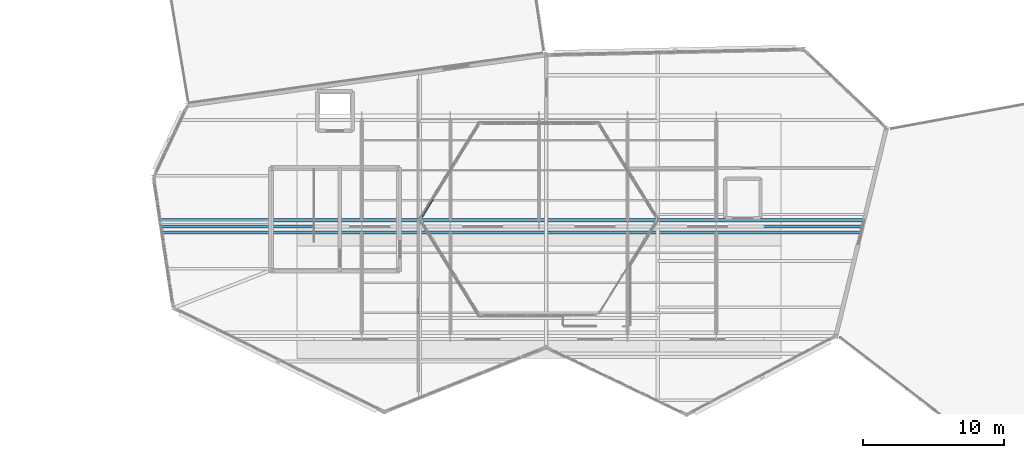
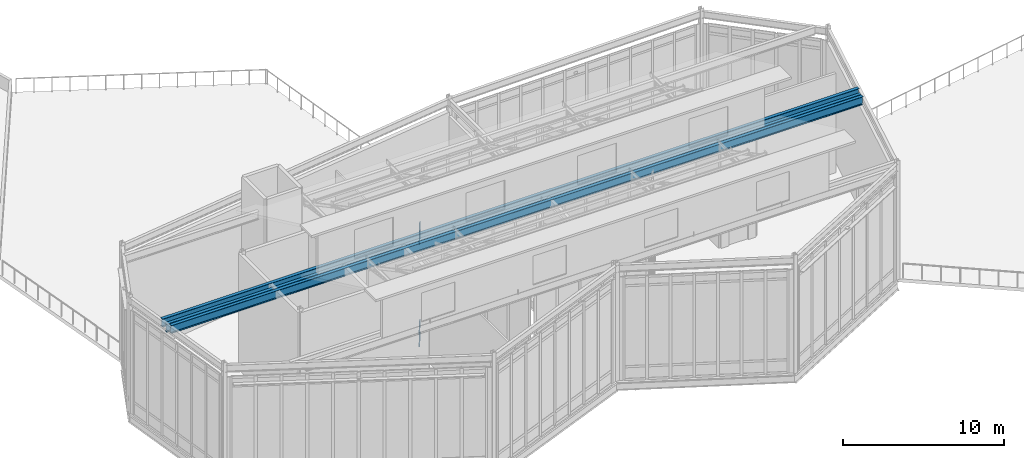
# One storey, part 22 of 66: 4 members, 3 beams, 1 element without a shape of its own.
"""IFC4 building model written with IfcOpenShell, lengths in metres."""

from ifc_helpers import new_model, si_unit, direction, frame, origin, origin_2d, place, context, subcontext, project, spatial, rectangle, i_section, extrude, material, material_profile, profile_set, type_object, element, aggregate, save


model = new_model("IFC4")

# Units and contexts
model_context = context("Model", 3, precision=1e-05, world=origin(), true_north=direction((0.0, 1.0)))
body_context = subcontext(model_context, "Body", "Model", "MODEL_VIEW")
ifc_project = project(units=[si_unit("LENGTHUNIT", "METRE"), si_unit("AREAUNIT", "SQUARE_METRE"), si_unit("VOLUMEUNIT", "CUBIC_METRE"), si_unit("PLANEANGLEUNIT", "RADIAN"), si_unit("MASSUNIT", "GRAM", prefix="KILO")], contexts=[model_context])

# Site, building, storey
site_placement = place(None, origin())
site = spatial("IfcSite", under=ifc_project, at=site_placement, CompositionType="ELEMENT")
building_placement = place(site_placement, origin())
building = spatial("IfcBuilding", under=site, at=building_placement, Name="Tameran Prism Museum", CompositionType="ELEMENT")
storey_placement = place(building_placement, frame((0.0, 0.0, 19.800048828125)))
storey = spatial("IfcBuildingStorey", under=building, at=storey_placement, Name="L04", CompositionType="ELEMENT", Elevation=19.800048828125)

# Beams
ifc_material_1 = material(Name="Steel Grade 300PLUS (300 MPa)", Category="steel")
ifc_material_profile_1 = material_profile(ifc_material_1, i_section(OverallWidth=0.22900390625, OverallDepth=0.612060546875, WebThickness=0.011962890625, FlangeThickness=0.01953125, FilletRadius=0.013916015625, at=origin_2d()))
ifc_profile_set_1 = profile_set([ifc_material_profile_1])
beam_type = type_object("IfcBeamType", Name="BM-UB610A", PredefinedType="BEAM", material=ifc_profile_set_1)
beam_1_placement = place(storey_placement, frame((50.23388671875, 35.56005859375, 8.48388671875), z_axis=(1.0, 0.0, 0.0), x_axis=(0.0, 1.0, 0.0)))
element("IfcBeam", 1, at=beam_1_placement, inside=storey, type_object=beam_type, Name="Sawtooth Support Girder SRG-035", PredefinedType="BEAM", context=body_context, shape_type="SweptSolid", body=[
    extrude(i_section(OverallWidth=0.22900390625, OverallDepth=0.612060546875, WebThickness=0.011962890625, FlangeThickness=0.01953125, FilletRadius=0.013916015625, at=origin_2d()), origin(), (0.0, 0.0, 1.0), 49.615234375),
])
beam_2_placement = place(storey_placement, frame((50.10107421875, 36.43994140625, 8.48388671875), z_axis=(1.0, 0.0, 0.0), x_axis=(0.0, 1.0, 0.0)))
element("IfcBeam", 2, at=beam_2_placement, inside=storey, type_object=beam_type, Name="Sawtooth Support Girder SRG-040", PredefinedType="BEAM", context=body_context, shape_type="SweptSolid", body=[
    extrude(i_section(OverallWidth=0.22900390625, OverallDepth=0.612060546875, WebThickness=0.011962890625, FlangeThickness=0.01953125, FilletRadius=0.013916015625, at=origin_2d()), origin(), (0.0, 0.0, 1.0), 49.9619140625),
])
beam_3_placement = place(storey_placement, frame((50.1669921875, 36.0, 8.343994140625), z_axis=(1.0, 0.0, 0.0), x_axis=(0.0, 1.0, 0.0)))
element("IfcBeam", 3, at=beam_3_placement, inside=storey, type_object=beam_type, Name="Sawtooth Support Girder SRG-042", PredefinedType="BEAM", context=body_context, shape_type="SweptSolid", body=[
    extrude(i_section(OverallWidth=0.22900390625, OverallDepth=0.612060546875, WebThickness=0.011962890625, FlangeThickness=0.01953125, FilletRadius=0.013916015625, at=origin_2d()), origin(), (0.0, 0.0, 1.0), 49.7890625),
])

# Curtain wall, members
ifc_material_2 = material(Name="Anodised Aluminium 6063-T6 and Cyclone Solar Glass", Category="aluminium")
curtain_wall_type = type_object("IfcCurtainWallType", Name="CW-ATR-769x844", PredefinedType="USERDEFINED", material=ifc_material_2)
curtain_wall_placement = place(storey_placement, origin())
curtain_wall = element("IfcCurtainWall", 4, at=curtain_wall_placement, inside=storey, type_object=curtain_wall_type, Name="Unitised Curtain Wall CW-020", ObjectType="UNITISED CURTAIN WALL", PredefinedType="USERDEFINED")
ifc_material_3 = material(Name="Anodised Aluminium Alloy 6063-T6", Category="aluminium")
ifc_material_profile_2 = material_profile(ifc_material_3, rectangle(XDim=0.06494140625, YDim=0.139892578125, at=origin_2d()))
ifc_profile_set_2 = profile_set([ifc_material_profile_2])
member_type = type_object("IfcMemberType", Name="CW-TRN-A", PredefinedType="USERDEFINED", material=ifc_profile_set_2)
member_1_placement = place(storey_placement, frame((69.47021484375, 37.9091796875, 0.032470703125), z_axis=(-0.525467627301, -0.850813594543, 0.0), x_axis=(0.850813594543, -0.525467627301, 0.0)))
member_1 = element("IfcMember", 5, at=member_1_placement, type_object=member_type, Name="CW-020 transom 5.1", ObjectType="TRANSOM", PredefinedType="USERDEFINED", context=body_context, shape_type="SweptSolid", body=[
    extrude(rectangle(XDim=0.06494140625, YDim=0.139892578125, at=origin_2d()), origin(), (0.0, 0.0, 1.0), 1.440673828125),
])
member_2_placement = place(storey_placement, frame((69.47021484375, 37.9091796875, 1.0), z_axis=(-0.525467627301, -0.850813594543, 0.0), x_axis=(0.850813594543, -0.525467627301, 0.0)))
member_2 = element("IfcMember", 6, at=member_2_placement, type_object=member_type, Name="CW-020 transom 5.2", ObjectType="TRANSOM", PredefinedType="USERDEFINED", context=body_context, shape_type="SweptSolid", body=[
    extrude(rectangle(XDim=0.06494140625, YDim=0.139892578125, at=origin_2d()), origin(), (0.0, 0.0, 1.0), 1.440673828125),
])
member_3_placement = place(storey_placement, frame((69.47021484375, 37.9091796875, 7.760009765625), z_axis=(-0.525467627301, -0.850813594543, 0.0), x_axis=(0.850813594543, -0.525467627301, 0.0)))
member_3 = element("IfcMember", 7, at=member_3_placement, type_object=member_type, Name="CW-020 transom 5.3", ObjectType="TRANSOM", PredefinedType="USERDEFINED", context=body_context, shape_type="SweptSolid", body=[
    extrude(rectangle(XDim=0.06494140625, YDim=0.139892578125, at=origin_2d()), origin(), (0.0, 0.0, 1.0), 1.440673828125),
])
member_4_placement = place(storey_placement, frame((69.47021484375, 37.9091796875, 8.407470703125), z_axis=(-0.525467627301, -0.850813594543, 0.0), x_axis=(0.850813594543, -0.525467627301, 0.0)))
member_4 = element("IfcMember", 8, at=member_4_placement, type_object=member_type, Name="CW-020 transom 5.4", ObjectType="TRANSOM", PredefinedType="USERDEFINED", context=body_context, shape_type="SweptSolid", body=[
    extrude(rectangle(XDim=0.06494140625, YDim=0.139892578125, at=origin_2d()), origin(), (0.0, 0.0, 1.0), 1.440673828125),
])
aggregate(curtain_wall, [member_1, member_2, member_3, member_4])

save(model, "model.ifc")
